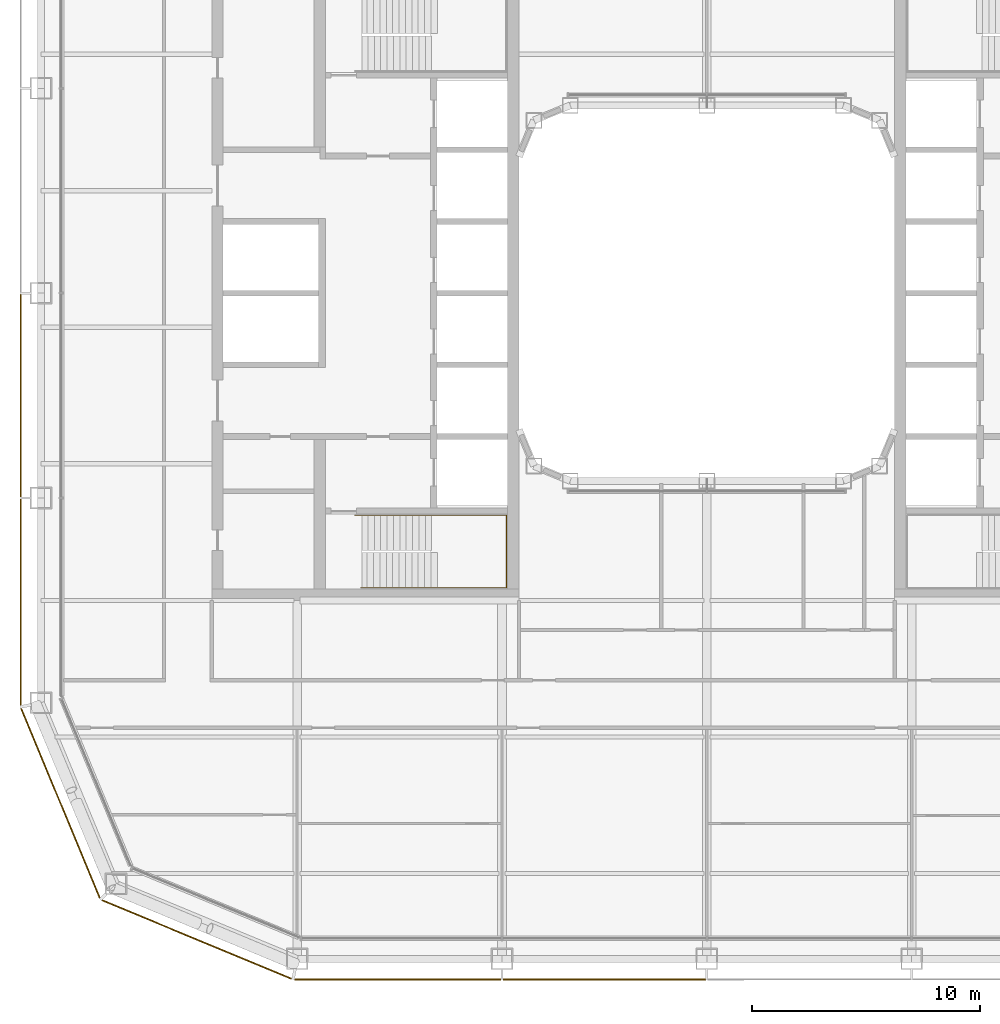
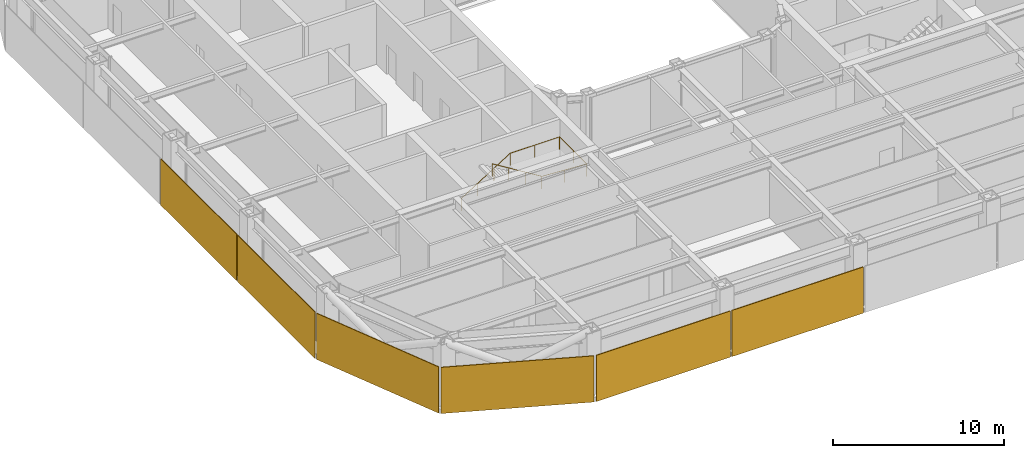
# One storey, part 19 of 24: 6 coverings, 1 railing.
"""IFC4 building model written with IfcOpenShell, lengths in metres."""

from ifc_helpers import new_model, si_unit, direction, frame, origin, origin_2d, place, context, subcontext, project, spatial, rectangle, circle, extrude, material, layer, layer_set, type_object, element, save


model = new_model("IFC4")

# Units and contexts
model_context = context("Model", 3, precision=1e-05, world=origin(), true_north=direction((0.0, 1.0)))
body_context = subcontext(model_context, "Body", "Model", "MODEL_VIEW")
ifc_project = project(units=[si_unit("LENGTHUNIT", "METRE"), si_unit("AREAUNIT", "SQUARE_METRE"), si_unit("VOLUMEUNIT", "CUBIC_METRE"), si_unit("PLANEANGLEUNIT", "RADIAN"), si_unit("MASSUNIT", "GRAM", prefix="KILO")], contexts=[model_context])

# Site, building, storey
site_placement = place(None, origin())
site = spatial("IfcSite", under=ifc_project, at=site_placement, CompositionType="ELEMENT")
building_placement = place(site_placement, origin())
building = spatial("IfcBuilding", under=site, at=building_placement, Name="Siwar Civic Tower", CompositionType="ELEMENT")
storey_placement = place(building_placement, frame((0.0, 0.0, 113.699951171875)))
storey = spatial("IfcBuildingStorey", under=building, at=storey_placement, Name="L24", CompositionType="ELEMENT", Elevation=113.699951171875)

# Railing
ifc_material_1 = material(Name="Stainless steel", Category="steel")
railing_type = type_object("IfcRailingType", Name="CORE-STAIR-HANDRAIL", PredefinedType="HANDRAIL", material=ifc_material_1)
railing_placement = place(storey_placement, frame((-15.449951171875, -9.758056640625, 0.173095703125)))
element("IfcRailing", 1, at=railing_placement, inside=storey, type_object=railing_type, Name="Stair handrail ST2", PredefinedType="HANDRAIL", context=body_context, shape_type="SweptSolid", body=[
    extrude(circle(Radius=0.02001953125, at=origin_2d()), frame((0.0, 0.0, 0.8798828125), z_axis=(0.847063342986, 0.0, 0.531491950051), x_axis=(0.0, 1.0, 0.0)), (0.0, 0.0, 1.0), 3.90771484375),
    extrude(circle(Radius=0.02001953125, at=origin_2d()), frame((3.31005859375, 0.0, 2.956787109375), z_axis=(1.0, 0.0, 0.0), x_axis=(0.0, 1.0, 0.0)), (0.0, 0.0, 1.0), 3.331787109375),
    extrude(circle(Radius=0.02001953125, at=origin_2d()), frame((6.641845703125, 0.0, 2.956787109375), z_axis=(0.0, -1.0, 0.0), x_axis=(1.0, 0.0, 0.0)), (0.0, 0.0, 1.0), 3.183837890625),
    extrude(circle(Radius=0.02001953125, at=origin_2d()), frame((6.641845703125, -3.183837890625, 2.956787109375), z_axis=(-0.99837434197, 0.0, 0.056997134106), x_axis=(0.0, -1.0, 0.0)), (0.0, 0.0, 1.0), 3.036865234375),
    extrude(circle(Radius=0.02001953125, at=origin_2d()), frame((3.60986328125, -3.183837890625, 3.1298828125), z_axis=(-0.850606129759, 0.0, 0.525803396734), x_axis=(0.0, -1.0, 0.0)), (0.0, 0.0, 1.0), 3.949951171875),
    extrude(circle(Radius=0.02001953125, at=origin_2d()), origin(), (0.0, 0.0, 1.0), 0.85986328125),
    extrude(circle(Radius=0.02001953125, at=origin_2d()), frame((1.103271484375, 0.0, 0.6923828125)), (0.0, 0.0, 1.0), 0.85986328125),
    extrude(circle(Radius=0.02001953125, at=origin_2d()), frame((2.206787109375, 0.0, 1.384521484375)), (0.0, 0.0, 1.0), 0.85986328125),
    extrude(circle(Radius=0.02001953125, at=origin_2d()), frame((3.31005859375, 0.0, 2.076904296875)), (0.0, 0.0, 1.0), 0.85986328125),
    extrude(circle(Radius=0.02001953125, at=origin_2d()), frame((4.97607421875, 0.0, 2.076904296875)), (0.0, 0.0, 1.0), 0.85986328125),
    extrude(circle(Radius=0.02001953125, at=origin_2d()), frame((6.641845703125, 0.0, 2.076904296875)), (0.0, 0.0, 1.0), 0.85986328125),
    extrude(circle(Radius=0.02001953125, at=origin_2d()), frame((6.641845703125, -1.591796875, 2.076904296875)), (0.0, 0.0, 1.0), 0.85986328125),
    extrude(circle(Radius=0.02001953125, at=origin_2d()), frame((6.641845703125, -3.183837890625, 2.076904296875)), (0.0, 0.0, 1.0), 0.85986328125),
    extrude(circle(Radius=0.02001953125, at=origin_2d()), frame((5.1259765625, -3.183837890625, 2.16357421875)), (0.0, 0.0, 1.0), 0.85986328125),
    extrude(circle(Radius=0.02001953125, at=origin_2d()), frame((3.60986328125, -3.183837890625, 2.25)), (0.0, 0.0, 1.0), 0.85986328125),
    extrude(circle(Radius=0.02001953125, at=origin_2d()), frame((2.489990234375, -3.183837890625, 2.9423828125)), (0.0, 0.0, 1.0), 0.85986328125),
    extrude(circle(Radius=0.02001953125, at=origin_2d()), frame((1.369873046875, -3.183837890625, 3.634521484375)), (0.0, 0.0, 1.0), 0.85986328125),
    extrude(circle(Radius=0.02001953125, at=origin_2d()), frame((0.25, -3.183837890625, 4.326904296875)), (0.0, 0.0, 1.0), 0.85986328125),
])

# Coverings
ifc_material_2 = material(Name="Perforated aluminium cassette, pale metal", Category="aluminium")
ifc_layer_1 = layer(ifc_material_2, 0.050048828125)
ifc_layer_set_1 = layer_set([ifc_layer_1], Name="Perforated aluminium cassette, pale metal")
covering_type_1 = type_object("IfcCoveringType", Name="ENV-OUTER SKIN OS-3", PredefinedType="CLADDING", material=ifc_layer_set_1)
covering_1_placement = place(storey_placement, frame((-30.14990234375, -4.5, -0.14990234375), z_axis=(0.0, 0.0, 1.0), x_axis=(0.0, -1.0, 0.0)))
element("IfcCovering", 2, at=covering_1_placement, inside=storey, type_object=covering_type_1, Name="OUTER SKIN OS-3 W 3", PredefinedType="CLADDING", context=body_context, shape_type="SweptSolid", body=[
    extrude(rectangle(XDim=8.89990234375, YDim=0.050048828125, at=origin_2d()), origin(), (0.0, 0.0, 1.0), 3.300048828125),
])
covering_2_placement = place(storey_placement, frame((-30.14990234375, -13.57958984375, -0.14990234375), z_axis=(0.0, 0.0, 1.0), x_axis=(0.0, -1.0, 0.0)))
element("IfcCovering", 3, at=covering_2_placement, inside=storey, type_object=covering_type_1, Name="OUTER SKIN OS-3 W 4", PredefinedType="CLADDING", context=body_context, shape_type="SweptSolid", body=[
    extrude(rectangle(XDim=9.05908203125, YDim=0.050048828125, at=origin_2d()), origin(), (0.0, 0.0, 1.0), 3.300048828125),
])
ifc_material_3 = material(Name="Perforated aluminium cassette, pale metal", Category="aluminium")
ifc_layer_2 = layer(ifc_material_3, 0.054931640625)
ifc_layer_set_2 = layer_set([ifc_layer_2], Name="Perforated aluminium cassette, pale metal")
covering_type_2 = type_object("IfcCoveringType", Name="ENV-OUTER SKIN OS-4", PredefinedType="CLADDING", material=ifc_layer_set_2)
covering_3_placement = place(storey_placement, frame((-13.57958984375, -30.14990234375, -0.14990234375), z_axis=(0.0, 0.0, 1.0), x_axis=(1.0, 0.0, 0.0)))
element("IfcCovering", 4, at=covering_3_placement, inside=storey, type_object=covering_type_2, Name="OUTER SKIN OS-4 S 1", PredefinedType="CLADDING", context=body_context, shape_type="SweptSolid", body=[
    extrude(rectangle(XDim=9.05908203125, YDim=0.054931640625, at=origin_2d()), origin(), (0.0, 0.0, 1.0), 3.300048828125),
])
covering_4_placement = place(storey_placement, frame((-4.5, -30.14990234375, -0.14990234375), z_axis=(0.0, 0.0, 1.0), x_axis=(1.0, 0.0, 0.0)))
element("IfcCovering", 5, at=covering_4_placement, inside=storey, type_object=covering_type_2, Name="OUTER SKIN OS-4 S 2", PredefinedType="CLADDING", context=body_context, shape_type="SweptSolid", body=[
    extrude(rectangle(XDim=8.89990234375, YDim=0.054931640625, at=origin_2d()), origin(), (0.0, 0.0, 1.0), 3.300048828125),
])
for number, where, z_axis, x_axis, name in (
    (6, (-28.39697265625, -22.411376953125, -0.14990234375), (0.0, 0.0, 1.0), (0.382683432365, -0.923879532511, 0.0), "OUTER SKIN OS-4 SW1 1"),
    (7, (-22.411376953125, -28.39697265625, -0.14990234375), (0.0, 0.0, 1.0), (0.923879532511, -0.382683432365, 0.0), "OUTER SKIN OS-4 SW2 1"),
):
    element("IfcCovering", number, at=place(storey_placement, frame(where, z_axis=z_axis, x_axis=x_axis)), inside=storey, type_object=covering_type_2, Name=name, PredefinedType="CLADDING", context=body_context, shape_type="SweptSolid", body=[
        extrude(rectangle(XDim=9.022216796875, YDim=0.054931640625, at=origin_2d()), origin(), (0.0, 0.0, 1.0), 3.300048828125),
    ])

save(model, "model.ifc")
